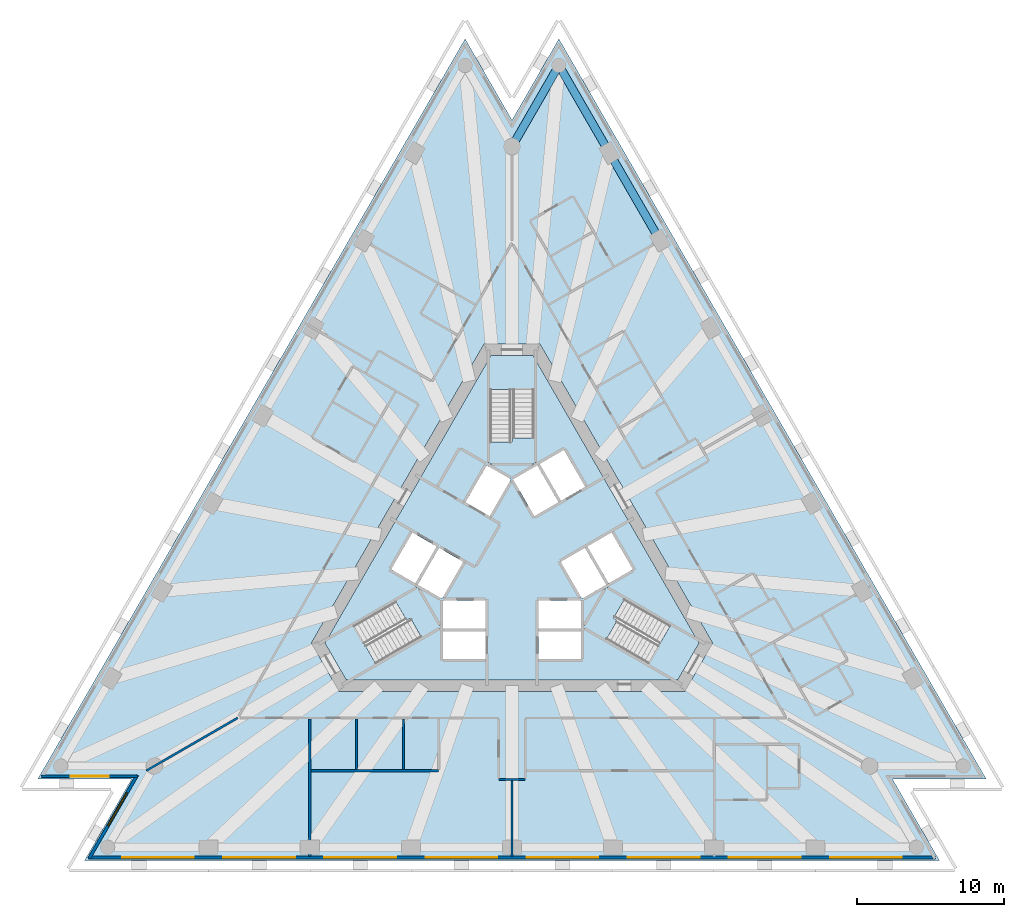
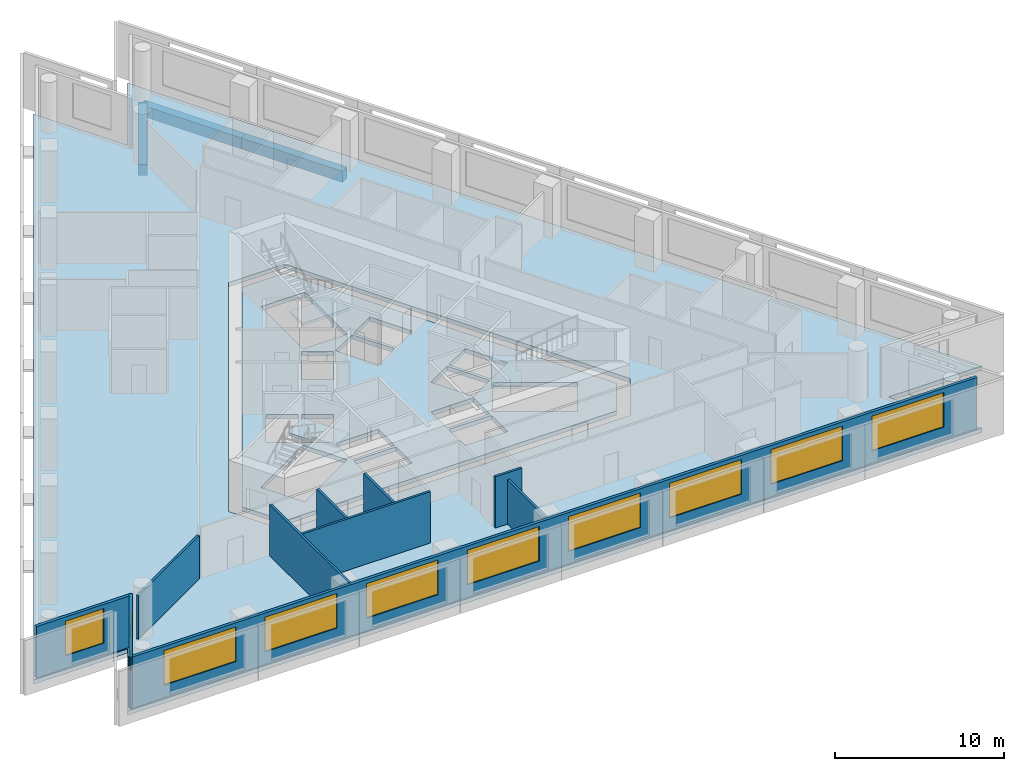
# One storey, part 2 of 10: 10 walls, 10 windows, 5 slabs, 3 beams, 10 openings, 3 elements without a shape of their own.
"""IFC4 building model written with IfcOpenShell, lengths in metres."""

from ifc_helpers import new_model, si_unit, direction, frame, frame_2d, origin, origin_2d, place, context, subcontext, project, spatial, polyline, rectangle, outline, extrude, material, layer, layer_set, layer_usage, material_profile, profile_set, type_object, element, fill, aggregate, save


model = new_model("IFC4")

# Units and contexts
model_context = context("Model", 3, precision=1e-05, world=origin(), true_north=direction((0.0, 1.0)))
body_context = subcontext(model_context, "Body", "Model", "MODEL_VIEW")
ifc_project = project(units=[si_unit("LENGTHUNIT", "METRE"), si_unit("AREAUNIT", "SQUARE_METRE"), si_unit("VOLUMEUNIT", "CUBIC_METRE"), si_unit("PLANEANGLEUNIT", "RADIAN"), si_unit("MASSUNIT", "GRAM", prefix="KILO")], contexts=[model_context])

# Site, building, storey
site_placement = place(None, origin())
site = spatial("IfcSite", under=ifc_project, at=site_placement, CompositionType="ELEMENT")
building_placement = place(site_placement, origin())
building = spatial("IfcBuilding", under=site, at=building_placement, Name="Triada Interchange Tower", CompositionType="ELEMENT")
storey_placement = place(building_placement, frame((0.0, 0.0, 120.300048828125)))
storey = spatial("IfcBuildingStorey", under=building, at=storey_placement, Name="L27", CompositionType="ELEMENT", Elevation=120.300048828125)

# Beams
ifc_material_1 = material(Name="Concrete C50/60", Category="concrete")
ifc_material_profile = material_profile(ifc_material_1, rectangle(XDim=0.550048828125, YDim=0.800048828125, at=origin_2d()), Name="RC 550x800")
ifc_profile_set = profile_set([ifc_material_profile], Name="Concrete C50/60")
beam_type = type_object("IfcBeamType", Name="Spandrel beam B RC 550x800", PredefinedType="BEAM", material=ifc_profile_set)
beam_1_placement = place(storey_placement, frame((10.096923828125, 21.760009765625, -0.699951171875), z_axis=(-0.500056430882, 0.865992820948, 0.0), x_axis=(-0.865992820948, -0.500056430882, 0.0)))
element("IfcBeam", 1, at=beam_1_placement, inside=storey, type_object=beam_type, Name="Spandrel beam EB27 L27", PredefinedType="BEAM", context=body_context, shape_type="SweptSolid", body=[
    extrude(rectangle(XDim=0.550048828125, YDim=0.800048828125, at=origin_2d()), origin(), (0.0, 0.0, 1.0), 6.897216796875),
])
beam_2_placement = place(storey_placement, frame((6.64794921875, 27.73291015625, -0.699951171875), z_axis=(-0.499979797689, 0.86603706728, 0.0), x_axis=(-0.86603706728, -0.499979797689, 0.0)))
element("IfcBeam", 2, at=beam_2_placement, inside=storey, type_object=beam_type, Name="Spandrel beam EB28 L27", PredefinedType="BEAM", context=body_context, shape_type="SweptSolid", body=[
    extrude(rectangle(XDim=0.550048828125, YDim=0.800048828125, at=origin_2d()), origin(), (0.0, 0.0, 1.0), 6.898193359375),
])
beam_3_placement = place(storey_placement, frame((3.198974609375, 33.70703125, -0.699951171875), z_axis=(-0.49991841402, -0.866072502348, 0.0), x_axis=(0.866072502348, -0.49991841402, 0.0)))
element("IfcBeam", 3, at=beam_3_placement, inside=storey, type_object=beam_type, Name="Spandrel beam EB29 L27", PredefinedType="BEAM", context=body_context, shape_type="SweptSolid", body=[
    extrude(rectangle(XDim=0.550048828125, YDim=0.800048828125, at=origin_2d()), origin(), (0.0, 0.0, 1.0), 6.39892578125),
])

# Slabs
ifc_layer_1 = layer(ifc_material_1, 0.300048828125)
ifc_layer_set_1 = layer_set([ifc_layer_1], Name="Floor slab 300")
slab_type_1 = type_object("IfcSlabType", Name="Floor slab 300", PredefinedType="FLOOR", material=ifc_layer_set_1)
slab_1_placement = place(storey_placement, frame((0.0, 0.0, -0.300048828125)))
element("IfcSlab", 4, at=slab_1_placement, inside=storey, type_object=slab_type_1, Name="Floor slab L27", PredefinedType="FLOOR", context=body_context, shape_type="SweptSolid", body=[
    extrude(outline(polyline([(-3.198974609375, 35.507080078125), (-32.34912109375, -14.98291015625), (-25.949951171875, -14.98291015625), (-29.14990234375, -20.52392578125), (29.14990234375, -20.52392578125), (25.949951171875, -14.98291015625), (32.34912109375, -14.98291015625), (3.198974609375, 35.507080078125), (0.0, 29.965087890625), (-3.198974609375, 35.507080078125)]), holes=[polyline([(1.905029296875, 14.699951171875), (-1.905029296875, 14.699951171875), (-13.68310546875, -5.699951171875), (-11.778076171875, -9.0), (11.778076171875, -9.0), (13.68310546875, -5.699951171875), (1.905029296875, 14.699951171875)])]), origin(), (0.0, 0.0, 1.0), 0.300048828125),
])
slab_2_placement = place(storey_placement, frame((0.0, 0.0, -0.300048828125)))
element("IfcSlab", 5, at=slab_2_placement, inside=storey, type_object=slab_type_1, Name="Core floor slab L27 1", PredefinedType="FLOOR", context=body_context, shape_type="SweptSolid", body=[
    extrude(outline(polyline([(12.759033203125, -5.699951171875), (11.31591796875, -8.199951171875), (-11.31591796875, -8.199951171875), (-12.759033203125, -5.699951171875), (-1.443115234375, 13.89990234375), (1.443115234375, 13.89990234375), (12.759033203125, -5.699951171875)]), holes=[polyline([(9.2958984375, -7.09912109375), (10.7958984375, -4.5009765625), (6.466064453125, -2.0009765625), (4.966064453125, -4.59912109375), (9.2958984375, -7.09912109375)]), polyline([(6.7890625, 1.841064453125), (5.14404296875, 0.89111328125), (6.593994140625, -1.6201171875), (8.239013671875, -0.669921875), (6.7890625, 1.841064453125)]), polyline([(4.77490234375, -2.669921875), (6.419921875, -1.719970703125), (4.969970703125, 0.791015625), (3.9150390625, 0.181884765625), (3.324951171875, -0.158935546875), (4.77490234375, -2.669921875)]), polyline([(1.89404296875, 6.52001953125), (3.343994140625, 4.009033203125), (4.989013671875, 4.958984375), (3.5390625, 7.469970703125), (1.89404296875, 6.52001953125)]), polyline([(4.699951171875, -6.800048828125), (4.699951171875, -4.89990234375), (1.800048828125, -4.89990234375), (1.800048828125, -6.800048828125), (4.699951171875, -6.800048828125)]), polyline([(4.699951171875, -2.800048828125), (1.800048828125, -2.800048828125), (1.800048828125, -4.699951171875), (4.699951171875, -4.699951171875), (4.699951171875, -2.800048828125)]), polyline([(0.074951171875, 5.469970703125), (1.52490234375, 2.958984375), (3.169921875, 3.908935546875), (1.719970703125, 6.419921875), (0.074951171875, 5.469970703125)]), polyline([(1.5, 11.60009765625), (-1.5, 11.60009765625), (-1.5, 6.60009765625), (1.5, 6.60009765625), (1.5, 11.60009765625)]), polyline([(-1.52490234375, 2.958984375), (-0.074951171875, 5.469970703125), (-1.719970703125, 6.419921875), (-3.169921875, 3.908935546875), (-1.52490234375, 2.958984375)]), polyline([(-1.800048828125, -2.800048828125), (-4.699951171875, -2.800048828125), (-4.699951171875, -4.699951171875), (-1.800048828125, -4.699951171875), (-1.800048828125, -2.800048828125)]), polyline([(-4.699951171875, -6.800048828125), (-1.800048828125, -6.800048828125), (-1.800048828125, -4.89990234375), (-4.699951171875, -4.89990234375), (-4.699951171875, -6.800048828125)]), polyline([(-4.77490234375, -2.669921875), (-3.324951171875, -0.158935546875), (-4.969970703125, 0.791015625), (-6.419921875, -1.719970703125), (-4.77490234375, -2.669921875)]), polyline([(-10.7958984375, -4.5009765625), (-9.2958984375, -7.09912109375), (-4.966064453125, -4.59912109375), (-6.466064453125, -2.0009765625), (-10.7958984375, -4.5009765625)]), polyline([(-6.593994140625, -1.6201171875), (-5.14404296875, 0.89111328125), (-6.7890625, 1.841064453125), (-8.239013671875, -0.669921875), (-6.593994140625, -1.6201171875)])]), origin(), (0.0, 0.0, 1.0), 0.300048828125),
])

# Stair, slab
ifc_material_2 = material(Name="Concrete C35/45", Category="concrete")
stair_type = type_object("IfcStairType", Name="HALF TURN STAIR 1400", PredefinedType="HALF_TURN_STAIR", material=ifc_material_2)
stair_1_placement = place(storey_placement, origin())
stair_1 = element("IfcStair", 6, at=stair_1_placement, inside=storey, type_object=stair_type, Name="Exit stair S26-1", PredefinedType="HALF_TURN_STAIR")
ifc_layer_2 = layer(ifc_material_2, 0.199951171875)
ifc_layer_set_2 = layer_set([ifc_layer_2], Name="STAIR LANDING 200")
slab_type_2 = type_object("IfcSlabType", Name="STAIR LANDING 200", PredefinedType="LANDING", material=ifc_layer_set_2)
slab_3_placement = place(storey_placement, frame((0.0, 0.0, 1.719970703125)))
slab_3 = element("IfcSlab", 7, at=slab_3_placement, type_object=slab_type_2, Name="S26-1 landing 1", PredefinedType="LANDING", context=body_context, shape_type="SweptSolid", body=[
    extrude(outline(polyline([(1.60009765625, 6.5), (1.60009765625, 8.300048828125), (0.0, 8.300048828125), (0.0, 8.0), (-1.60009765625, 8.0), (-1.60009765625, 6.5), (1.60009765625, 6.5)])), origin(), (0.0, 0.0, 1.0), 0.199951171875),
])
aggregate(stair_1, [slab_3])

stair_2_placement = place(storey_placement, origin())
stair_2 = element("IfcStair", 8, at=stair_2_placement, inside=storey, type_object=stair_type, Name="Exit stair S26-2", PredefinedType="HALF_TURN_STAIR")
slab_4_placement = place(storey_placement, frame((0.0, 0.0, 1.719970703125)))
slab_4 = element("IfcSlab", 9, at=slab_4_placement, type_object=slab_type_2, Name="S26-2 landing 1", PredefinedType="LANDING", context=body_context, shape_type="SweptSolid", body=[
    extrude(outline(polyline([(-6.428955078125, -1.864013671875), (-7.988037109375, -2.763916015625), (-7.18798828125, -4.14990234375), (-6.927978515625, -4.0), (-6.1279296875, -5.385986328125), (-4.8291015625, -4.635986328125), (-6.428955078125, -1.864013671875)])), origin(), (0.0, 0.0, 1.0), 0.199951171875),
])
aggregate(stair_2, [slab_4])

stair_3_placement = place(storey_placement, origin())
stair_3 = element("IfcStair", 10, at=stair_3_placement, inside=storey, type_object=stair_type, Name="Exit stair S26-3", PredefinedType="HALF_TURN_STAIR")
slab_5_placement = place(storey_placement, frame((0.0, 0.0, 1.719970703125)))
slab_5 = element("IfcSlab", 11, at=slab_5_placement, type_object=slab_type_2, Name="S26-3 landing 1", PredefinedType="LANDING", context=body_context, shape_type="SweptSolid", body=[
    extrude(outline(polyline([(4.8291015625, -4.635986328125), (6.387939453125, -5.535888671875), (7.18798828125, -4.14990234375), (6.927978515625, -4.0), (7.72802734375, -2.614013671875), (6.428955078125, -1.864013671875), (4.8291015625, -4.635986328125)])), origin(), (0.0, 0.0, 1.0), 0.199951171875),
])
aggregate(stair_3, [slab_5])

# Wall, opening, window
ifc_material_3 = material(Name="Cement board")
ifc_layer_3 = layer(ifc_material_3, 0.02001953125, Name="Cement board cladding")
ifc_material_4 = material(Name="Sheathing board")
ifc_layer_4 = layer(ifc_material_4, 0.014892578125, Name="Sheathing board")
ifc_material_5 = material(Name="Mineral wool")
ifc_layer_5 = layer(ifc_material_5, 0.14990234375, Name="Mineral wool between steel studs")
ifc_material_6 = material(Name="Gypsum board")
ifc_layer_6 = layer(ifc_material_6, 0.014892578125, Name="Plasterboard lining")
ifc_layer_set_3 = layer_set([ifc_layer_3, ifc_layer_4, ifc_layer_5, ifc_layer_6], Name="External wall 200")
ifc_layer_usage = layer_usage(ifc_layer_set_3, "AXIS2", "POSITIVE", -0.10009765625)
wall_type_1 = type_object("IfcWallType", Name="External wall 200", PredefinedType="ELEMENTEDWALL", material=ifc_layer_set_3)
wall_1_placement = place(storey_placement, frame((-32.093017578125, -14.782958984375, 0.0), z_axis=(0.0, 0.0, 1.0), x_axis=(1.0, 0.0, 0.0)))
wall_1 = element("IfcWall", 12, at=wall_1_placement, inside=storey, type_object=wall_type_1, material=ifc_layer_usage, Name="External wall L27 SW-1", PredefinedType="ELEMENTEDWALL", context=body_context, shape_type="SweptSolid", body=[
    extrude(rectangle(XDim=6.55908203125, YDim=0.199951171875, at=frame_2d((3.279541015625, 0.0))), origin(), (0.0, 0.0, 1.0), 3.699951171875),
])
opening_1_placement = place(wall_1_placement, frame((1.989990234375, 0.0, 0.89990234375)))
opening_1 = element("IfcOpeningElement", 13, at=opening_1_placement, cuts=wall_1, Name="Opening WB09", PredefinedType="OPENING", context=body_context, shape_type="SweptSolid", body=[
    extrude(rectangle(XDim=2.60009765625, YDim=2.5, at=frame_2d((1.300048828125, 1.25))), frame((0.0, 0.10986328125, 0.0), z_axis=(0.0, -1.0, 0.0), x_axis=(1.0, 0.0, 0.0)), (0.0, 0.0, 1.0), 0.219970703125),
])
ifc_material_7 = material(Name="Double glazed aluminium window", Category="aluminium")
window_type_1 = type_object("IfcWindowType", Name="Ribbon window B pocket", PartitioningType="SINGLE_PANEL", PredefinedType="WINDOW", material=ifc_material_7)
window_1_placement = place(opening_1_placement, origin())
window_1 = element("IfcWindow", 14, at=window_1_placement, inside=storey, type_object=window_type_1, Name="Window L27 SW-1 1", OverallHeight=2.5, OverallWidth=2.60009765625, PartitioningType="SINGLE_PANEL", PredefinedType="WINDOW", context=body_context, shape_type="SweptSolid", body=[
    extrude(rectangle(XDim=2.60009765625, YDim=2.5, at=frame_2d((1.300048828125, 1.25))), frame((0.0, 0.030029296875, 0.0), z_axis=(0.0, -1.0, 0.0), x_axis=(1.0, 0.0, 0.0)), (0.0, 0.0, 1.0), 0.06005859375),
])
fill(opening_1, window_1)

wall_2_placement = place(storey_placement, frame((-25.55908203125, -14.705078125, 0.0), z_axis=(0.0, 0.0, 1.0), x_axis=(-0.500082240168, -0.865977917195, 0.0)))
wall_2 = element("IfcWall", 15, at=wall_2_placement, inside=storey, type_object=wall_type_1, material=ifc_layer_usage, Name="External wall L27 SW-2", PredefinedType="ELEMENTEDWALL", context=body_context, shape_type="SweptSolid", body=[
    extrude(rectangle(XDim=6.55908203125, YDim=0.199951171875, at=frame_2d((3.279541015625, 0.0))), origin(), (0.0, 0.0, 1.0), 3.699951171875),
])
opening_2_placement = place(wall_2_placement, frame((1.389892578125, 0.0, 0.89990234375)))
opening_2 = element("IfcOpeningElement", 16, at=opening_2_placement, cuts=wall_2, Name="Opening WB10", PredefinedType="OPENING", context=body_context, shape_type="SweptSolid", body=[
    extrude(rectangle(XDim=2.60009765625, YDim=2.5, at=frame_2d((1.300048828125, 1.25))), frame((0.0, 0.10986328125, 0.0), z_axis=(0.0, -1.0, 0.0), x_axis=(1.0, 0.0, 0.0)), (0.0, 0.0, 1.0), 0.219970703125),
])
window_2_placement = place(opening_2_placement, origin())
window_2 = element("IfcWindow", 17, at=window_2_placement, inside=storey, type_object=window_type_1, Name="Window L27 SW-2 1", OverallHeight=2.5, OverallWidth=2.60009765625, PartitioningType="SINGLE_PANEL", PredefinedType="WINDOW", context=body_context, shape_type="SweptSolid", body=[
    extrude(rectangle(XDim=2.60009765625, YDim=2.5, at=frame_2d((1.300048828125, 1.25))), frame((0.0, 0.030029296875, 0.0), z_axis=(0.0, -1.0, 0.0), x_axis=(1.0, 0.0, 0.0)), (0.0, 0.0, 1.0), 0.06005859375),
])
fill(opening_2, window_2)

# Wall, openings, windows
wall_3_placement = place(storey_placement, frame((-28.89404296875, -20.323974609375, 0.0), z_axis=(0.0, 0.0, 1.0), x_axis=(1.0, 0.0, 0.0)))
wall_3 = element("IfcWall", 18, at=wall_3_placement, inside=storey, type_object=wall_type_1, material=ifc_layer_usage, Name="External wall L27 S", PredefinedType="ELEMENTEDWALL", context=body_context, shape_type="SweptSolid", body=[
    extrude(rectangle(XDim=57.76806640625, YDim=0.199951171875, at=frame_2d((28.884033203125, 0.0))), origin(), (0.0, 0.0, 1.0), 3.699951171875),
])
opening_3_placement = place(wall_3_placement, frame((2.302001953125, 0.0, 0.89990234375)))
opening_3 = element("IfcOpeningElement", 19, at=opening_3_placement, cuts=wall_3, Name="Opening WB11", PredefinedType="OPENING", context=body_context, shape_type="SweptSolid", body=[
    extrude(rectangle(XDim=4.89990234375, YDim=2.5, at=frame_2d((2.449951171875, 1.25))), frame((0.0, 0.10986328125, 0.0), z_axis=(0.0, -1.0, 0.0), x_axis=(1.0, 0.0, 0.0)), (0.0, 0.0, 1.0), 0.219970703125),
])
opening_4_placement = place(wall_3_placement, frame((9.199951171875, 0.0, 0.89990234375)))
opening_4 = element("IfcOpeningElement", 20, at=opening_4_placement, cuts=wall_3, Name="Opening WB12", PredefinedType="OPENING", context=body_context, shape_type="SweptSolid", body=[
    extrude(rectangle(XDim=4.89990234375, YDim=2.5, at=frame_2d((2.449951171875, 1.25))), frame((0.0, 0.10986328125, 0.0), z_axis=(0.0, -1.0, 0.0), x_axis=(1.0, 0.0, 0.0)), (0.0, 0.0, 1.0), 0.219970703125),
])
opening_5_placement = place(wall_3_placement, frame((16.096923828125, 0.0, 0.89990234375)))
opening_5 = element("IfcOpeningElement", 21, at=opening_5_placement, cuts=wall_3, Name="Opening WB13", PredefinedType="OPENING", context=body_context, shape_type="SweptSolid", body=[
    extrude(rectangle(XDim=4.89990234375, YDim=2.5, at=frame_2d((2.449951171875, 1.25))), frame((0.0, 0.10986328125, 0.0), z_axis=(0.0, -1.0, 0.0), x_axis=(1.0, 0.0, 0.0)), (0.0, 0.0, 1.0), 0.219970703125),
])
opening_6_placement = place(wall_3_placement, frame((22.9951171875, 0.0, 0.89990234375)))
opening_6 = element("IfcOpeningElement", 22, at=opening_6_placement, cuts=wall_3, Name="Opening WB14", PredefinedType="OPENING", context=body_context, shape_type="SweptSolid", body=[
    extrude(rectangle(XDim=4.89990234375, YDim=2.5, at=frame_2d((2.449951171875, 1.25))), frame((0.0, 0.10986328125, 0.0), z_axis=(0.0, -1.0, 0.0), x_axis=(1.0, 0.0, 0.0)), (0.0, 0.0, 1.0), 0.219970703125),
])
opening_7_placement = place(wall_3_placement, frame((29.89306640625, 0.0, 0.89990234375)))
opening_7 = element("IfcOpeningElement", 23, at=opening_7_placement, cuts=wall_3, Name="Opening WB15", PredefinedType="OPENING", context=body_context, shape_type="SweptSolid", body=[
    extrude(rectangle(XDim=4.89990234375, YDim=2.5, at=frame_2d((2.449951171875, 1.25))), frame((0.0, 0.10986328125, 0.0), z_axis=(0.0, -1.0, 0.0), x_axis=(1.0, 0.0, 0.0)), (0.0, 0.0, 1.0), 0.219970703125),
])
opening_8_placement = place(wall_3_placement, frame((36.791015625, 0.0, 0.89990234375)))
opening_8 = element("IfcOpeningElement", 24, at=opening_8_placement, cuts=wall_3, Name="Opening WB16", PredefinedType="OPENING", context=body_context, shape_type="SweptSolid", body=[
    extrude(rectangle(XDim=4.89990234375, YDim=2.5, at=frame_2d((2.449951171875, 1.25))), frame((0.0, 0.10986328125, 0.0), z_axis=(0.0, -1.0, 0.0), x_axis=(1.0, 0.0, 0.0)), (0.0, 0.0, 1.0), 0.219970703125),
])
opening_9_placement = place(wall_3_placement, frame((43.68798828125, 0.0, 0.89990234375)))
opening_9 = element("IfcOpeningElement", 25, at=opening_9_placement, cuts=wall_3, Name="Opening WB17", PredefinedType="OPENING", context=body_context, shape_type="SweptSolid", body=[
    extrude(rectangle(XDim=4.89990234375, YDim=2.5, at=frame_2d((2.449951171875, 1.25))), frame((0.0, 0.10986328125, 0.0), z_axis=(0.0, -1.0, 0.0), x_axis=(1.0, 0.0, 0.0)), (0.0, 0.0, 1.0), 0.219970703125),
])
opening_10_placement = place(wall_3_placement, frame((50.5859375, 0.0, 0.89990234375)))
opening_10 = element("IfcOpeningElement", 26, at=opening_10_placement, cuts=wall_3, Name="Opening WB18", PredefinedType="OPENING", context=body_context, shape_type="SweptSolid", body=[
    extrude(rectangle(XDim=4.89990234375, YDim=2.5, at=frame_2d((2.449951171875, 1.25))), frame((0.0, 0.10986328125, 0.0), z_axis=(0.0, -1.0, 0.0), x_axis=(1.0, 0.0, 0.0)), (0.0, 0.0, 1.0), 0.219970703125),
])
window_type_2 = type_object("IfcWindowType", Name="Ribbon window B face", PartitioningType="SINGLE_PANEL", PredefinedType="WINDOW", material=ifc_material_7)
window_3_placement = place(opening_3_placement, origin())
window_3 = element("IfcWindow", 27, at=window_3_placement, inside=storey, type_object=window_type_2, Name="Window L27 S 1", OverallHeight=2.5, OverallWidth=4.89990234375, PartitioningType="SINGLE_PANEL", PredefinedType="WINDOW", context=body_context, shape_type="SweptSolid", body=[
    extrude(rectangle(XDim=4.89990234375, YDim=2.5, at=frame_2d((2.449951171875, 1.25))), frame((0.0, 0.030029296875, 0.0), z_axis=(0.0, -1.0, 0.0), x_axis=(1.0, 0.0, 0.0)), (0.0, 0.0, 1.0), 0.06005859375),
])
fill(opening_3, window_3)
window_4_placement = place(opening_4_placement, origin())
window_4 = element("IfcWindow", 28, at=window_4_placement, inside=storey, type_object=window_type_2, Name="Window L27 S 2", OverallHeight=2.5, OverallWidth=4.89990234375, PartitioningType="SINGLE_PANEL", PredefinedType="WINDOW", context=body_context, shape_type="SweptSolid", body=[
    extrude(rectangle(XDim=4.89990234375, YDim=2.5, at=frame_2d((2.449951171875, 1.25))), frame((0.0, 0.030029296875, 0.0), z_axis=(0.0, -1.0, 0.0), x_axis=(1.0, 0.0, 0.0)), (0.0, 0.0, 1.0), 0.06005859375),
])
fill(opening_4, window_4)
window_5_placement = place(opening_5_placement, origin())
window_5 = element("IfcWindow", 29, at=window_5_placement, inside=storey, type_object=window_type_2, Name="Window L27 S 3", OverallHeight=2.5, OverallWidth=4.89990234375, PartitioningType="SINGLE_PANEL", PredefinedType="WINDOW", context=body_context, shape_type="SweptSolid", body=[
    extrude(rectangle(XDim=4.89990234375, YDim=2.5, at=frame_2d((2.449951171875, 1.25))), frame((0.0, 0.030029296875, 0.0), z_axis=(0.0, -1.0, 0.0), x_axis=(1.0, 0.0, 0.0)), (0.0, 0.0, 1.0), 0.06005859375),
])
fill(opening_5, window_5)
window_6_placement = place(opening_6_placement, origin())
window_6 = element("IfcWindow", 30, at=window_6_placement, inside=storey, type_object=window_type_2, Name="Window L27 S 4", OverallHeight=2.5, OverallWidth=4.89990234375, PartitioningType="SINGLE_PANEL", PredefinedType="WINDOW", context=body_context, shape_type="SweptSolid", body=[
    extrude(rectangle(XDim=4.89990234375, YDim=2.5, at=frame_2d((2.449951171875, 1.25))), frame((0.0, 0.030029296875, 0.0), z_axis=(0.0, -1.0, 0.0), x_axis=(1.0, 0.0, 0.0)), (0.0, 0.0, 1.0), 0.06005859375),
])
fill(opening_6, window_6)
window_7_placement = place(opening_7_placement, origin())
window_7 = element("IfcWindow", 31, at=window_7_placement, inside=storey, type_object=window_type_2, Name="Window L27 S 5", OverallHeight=2.5, OverallWidth=4.89990234375, PartitioningType="SINGLE_PANEL", PredefinedType="WINDOW", context=body_context, shape_type="SweptSolid", body=[
    extrude(rectangle(XDim=4.89990234375, YDim=2.5, at=frame_2d((2.449951171875, 1.25))), frame((0.0, 0.030029296875, 0.0), z_axis=(0.0, -1.0, 0.0), x_axis=(1.0, 0.0, 0.0)), (0.0, 0.0, 1.0), 0.06005859375),
])
fill(opening_7, window_7)
window_8_placement = place(opening_8_placement, origin())
window_8 = element("IfcWindow", 32, at=window_8_placement, inside=storey, type_object=window_type_2, Name="Window L27 S 6", OverallHeight=2.5, OverallWidth=4.89990234375, PartitioningType="SINGLE_PANEL", PredefinedType="WINDOW", context=body_context, shape_type="SweptSolid", body=[
    extrude(rectangle(XDim=4.89990234375, YDim=2.5, at=frame_2d((2.449951171875, 1.25))), frame((0.0, 0.030029296875, 0.0), z_axis=(0.0, -1.0, 0.0), x_axis=(1.0, 0.0, 0.0)), (0.0, 0.0, 1.0), 0.06005859375),
])
fill(opening_8, window_8)
window_9_placement = place(opening_9_placement, origin())
window_9 = element("IfcWindow", 33, at=window_9_placement, inside=storey, type_object=window_type_2, Name="Window L27 S 7", OverallHeight=2.5, OverallWidth=4.89990234375, PartitioningType="SINGLE_PANEL", PredefinedType="WINDOW", context=body_context, shape_type="SweptSolid", body=[
    extrude(rectangle(XDim=4.89990234375, YDim=2.5, at=frame_2d((2.449951171875, 1.25))), frame((0.0, 0.030029296875, 0.0), z_axis=(0.0, -1.0, 0.0), x_axis=(1.0, 0.0, 0.0)), (0.0, 0.0, 1.0), 0.06005859375),
])
fill(opening_9, window_9)
window_10_placement = place(opening_10_placement, origin())
window_10 = element("IfcWindow", 34, at=window_10_placement, inside=storey, type_object=window_type_2, Name="Window L27 S 8", OverallHeight=2.5, OverallWidth=4.89990234375, PartitioningType="SINGLE_PANEL", PredefinedType="WINDOW", context=body_context, shape_type="SweptSolid", body=[
    extrude(rectangle(XDim=4.89990234375, YDim=2.5, at=frame_2d((2.449951171875, 1.25))), frame((0.0, 0.030029296875, 0.0), z_axis=(0.0, -1.0, 0.0), x_axis=(1.0, 0.0, 0.0)), (0.0, 0.0, 1.0), 0.06005859375),
])
fill(opening_10, window_10)

# Walls
ifc_material_8 = material(Name="Gypsum board partition")
ifc_layer_7 = layer(ifc_material_8, 0.14990234375)
ifc_layer_set_4 = layer_set([ifc_layer_7], Name="PARTITION 150 EI 180")
wall_type_2 = type_object("IfcWallType", Name="PARTITION 150 EI 180", PredefinedType="PARTITIONING", material=ifc_layer_set_4)
wall_4_placement = place(storey_placement, frame((-24.927978515625, -14.39306640625, 0.0), z_axis=(0.0, 0.0, 1.0), x_axis=(0.866011883308, 0.500023417421, 0.0)))
element("IfcWall", 35, at=wall_4_placement, inside=storey, type_object=wall_type_2, Name="Wall L26 1", PredefinedType="PARTITIONING", context=body_context, shape_type="SweptSolid", body=[
    extrude(rectangle(XDim=7.185791015625, YDim=0.14990234375, at=frame_2d((3.5927734375, 0.0))), origin(), (0.0, 0.0, 1.0), 3.14990234375),
])
wall_5_placement = place(storey_placement, frame((-13.7958984375, -20.243896484375, 0.0), z_axis=(0.0, 0.0, 1.0), x_axis=(0.0, 1.0, 0.0)))
element("IfcWall", 36, at=wall_5_placement, inside=storey, type_object=wall_type_2, Name="Wall L26 10", PredefinedType="PARTITIONING", context=body_context, shape_type="SweptSolid", body=[
    extrude(rectangle(XDim=9.368896484375, YDim=0.14990234375, at=frame_2d((4.6845703125, 0.0))), origin(), (0.0, 0.0, 1.0), 3.699951171875),
])
wall_6_placement = place(storey_placement, frame((-13.720947265625, -14.39990234375, 0.0), z_axis=(0.0, 0.0, 1.0), x_axis=(1.0, 0.0, 0.0)))
element("IfcWall", 37, at=wall_6_placement, inside=storey, type_object=wall_type_2, Name="Wall L26 11", PredefinedType="PARTITIONING", context=body_context, shape_type="SweptSolid", body=[
    extrude(rectangle(XDim=8.724853515625, YDim=0.14990234375, at=frame_2d((4.3623046875, 0.0))), origin(), (0.0, 0.0, 1.0), 3.699951171875),
])
for number, where, z_axis, x_axis, name in (
    (38, (-10.595947265625, -14.324951171875, 0.0), (0.0, 0.0, 1.0), (0.0, 1.0, 0.0), "Wall L26 13"),
    (39, (-7.39599609375, -14.324951171875, 0.0), (0.0, 0.0, 1.0), (0.0, 1.0, 0.0), "Wall L26 16"),
):
    element("IfcWall", number, at=place(storey_placement, frame(where, z_axis=z_axis, x_axis=x_axis)), inside=storey, type_object=wall_type_2, Name=name, PredefinedType="PARTITIONING", context=body_context, shape_type="SweptSolid", body=[
        extrude(rectangle(XDim=3.449951171875, YDim=0.14990234375, at=frame_2d((1.72509765625, 0.0))), origin(), (0.0, 0.0, 1.0), 3.699951171875),
    ])
wall_7_placement = place(storey_placement, frame((-0.89990234375, -15.0, 0.0), z_axis=(0.0, 0.0, 1.0), x_axis=(1.0, 0.0, 0.0)))
element("IfcWall", 40, at=wall_7_placement, inside=storey, type_object=wall_type_2, Name="Wall L26 19", PredefinedType="PARTITIONING", context=body_context, shape_type="SweptSolid", body=[
    extrude(rectangle(XDim=1.7998046875, YDim=0.14990234375, at=frame_2d((0.89990234375, 0.0))), origin(), (0.0, 0.0, 1.0), 3.699951171875),
])
wall_8_placement = place(storey_placement, frame((0.0, -20.243896484375, 0.0), z_axis=(0.0, 0.0, 1.0), x_axis=(0.0, 1.0, 0.0)))
element("IfcWall", 41, at=wall_8_placement, inside=storey, type_object=wall_type_2, Name="Wall L26 21", PredefinedType="PARTITIONING", context=body_context, shape_type="SweptSolid", body=[
    extrude(rectangle(XDim=5.1689453125, YDim=0.14990234375, at=frame_2d((2.58447265625, 0.0))), origin(), (0.0, 0.0, 1.0), 3.199951171875),
])

save(model, "model.ifc")
